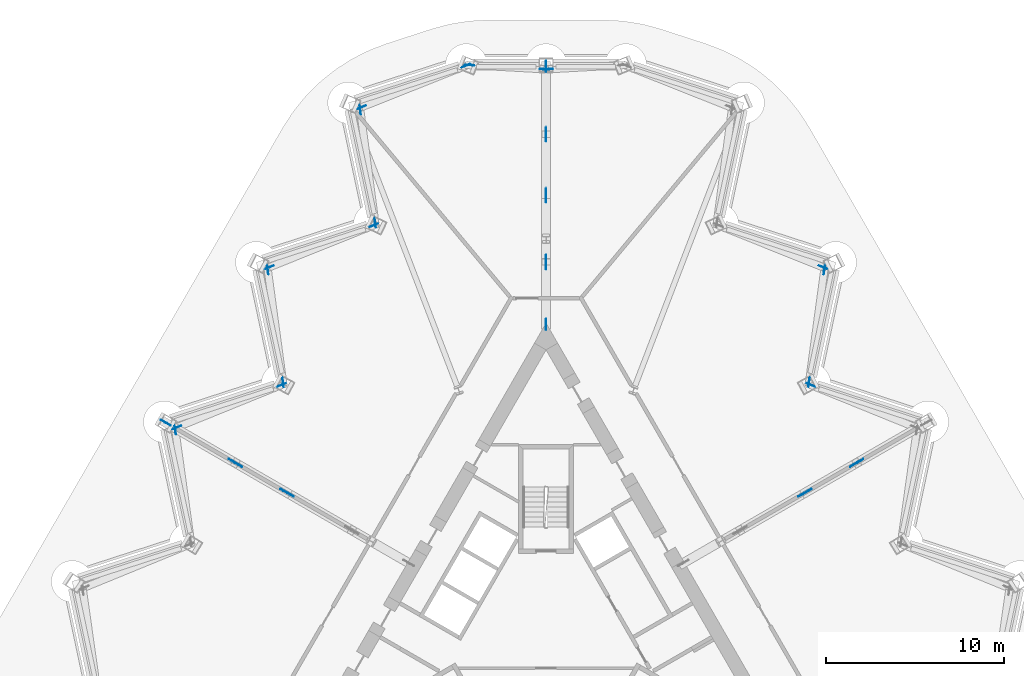
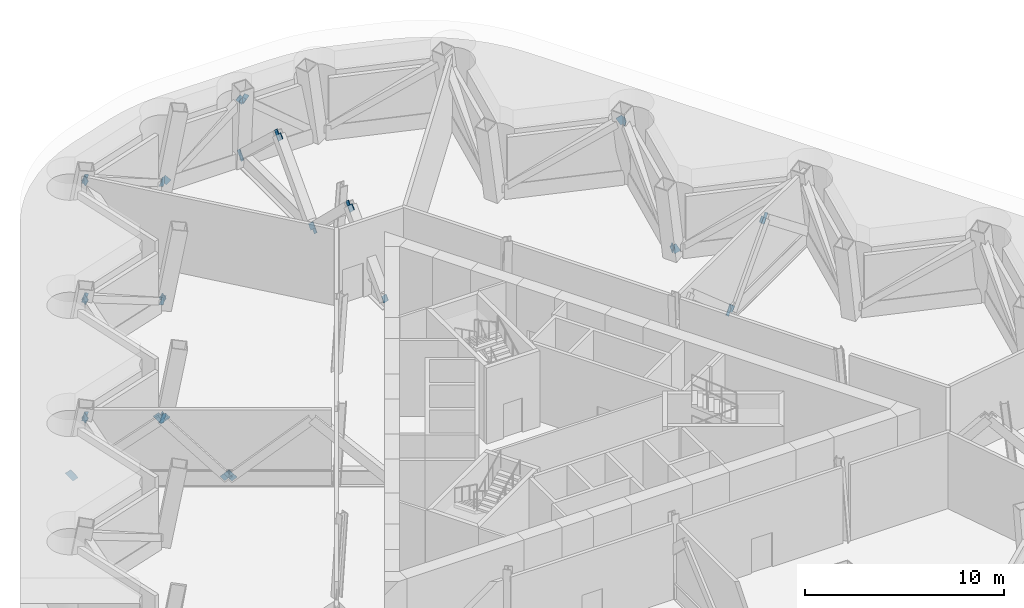
# One storey, part 10 of 13: 35 discrete accessories.
"""IFC4 building model written with IfcOpenShell, lengths in metres."""

from ifc_helpers import new_model, si_unit, direction, frame, origin, origin_2d, place, context, subcontext, project, spatial, rectangle, extrude, material, material_profile, profile_set, type_object, element, save


model = new_model("IFC4")

# Units and contexts
model_context = context("Model", 3, precision=1e-05, world=origin(), true_north=direction((0.0, 1.0)))
body_context = subcontext(model_context, "Body", "Model", "MODEL_VIEW")
ifc_project = project(units=[si_unit("LENGTHUNIT", "METRE"), si_unit("AREAUNIT", "SQUARE_METRE"), si_unit("VOLUMEUNIT", "CUBIC_METRE"), si_unit("PLANEANGLEUNIT", "RADIAN"), si_unit("MASSUNIT", "GRAM", prefix="KILO")], contexts=[model_context])

# Site, building, storey
site_placement = place(None, origin())
site = spatial("IfcSite", under=ifc_project, at=site_placement, CompositionType="ELEMENT")
building_placement = place(site_placement, origin())
building = spatial("IfcBuilding", under=site, at=building_placement, Name="Cormorant Prow Tower", CompositionType="ELEMENT")
storey_placement = place(building_placement, frame((0.0, 0.0, 226.0)))
storey = spatial("IfcBuildingStorey", under=building, at=storey_placement, Name="L49", CompositionType="ELEMENT", Elevation=226.0)

# Discrete accessories
ifc_material_1 = material(Name="Structural steel ASTM A500 Gr C", Category="steel")
ifc_material_profile_1 = material_profile(ifc_material_1, rectangle(XDim=0.031982421875, YDim=0.506103515625, at=origin_2d()), Name="Gusset plate 32x506")
ifc_profile_set_1 = profile_set([ifc_material_profile_1], Name="Structural steel ASTM A500 Gr C")
discrete_accessory_type_1 = type_object("IfcDiscreteAccessoryType", Name="Gusset plate 32x506", PredefinedType="BRACKET", material=ifc_profile_set_1)
discrete_accessory_1_placement = place(storey_placement, frame((14.973388671875, 14.373779296875, 0.59912109375), z_axis=(-0.803957450562, 0.326324446542, -0.497156688856), x_axis=(-0.376096804868, -0.926580376097, 0.0)))
element("IfcDiscreteAccessory", 1, at=discrete_accessory_1_placement, inside=storey, type_object=discrete_accessory_type_1, Name="Gusset plate GP2 L49.ENE05.g0", PredefinedType="BRACKET", context=body_context, shape_type="SweptSolid", body=[
    extrude(rectangle(XDim=0.031982421875, YDim=0.506103515625, at=origin_2d()), origin(), (0.0, 0.0, 1.0), 0.35009765625),
])
discrete_accessory_2_placement = place(storey_placement, frame((14.76708984375, 14.72998046875, 0.5986328125), z_axis=(-0.11650310629, -0.860867264446, -0.495312607582), x_axis=(0.990966488348, -0.134109727353, 0.0)))
element("IfcDiscreteAccessory", 2, at=discrete_accessory_2_placement, inside=storey, type_object=discrete_accessory_type_1, Name="Gusset plate GP2 L49.ENE06.g0", PredefinedType="BRACKET", context=body_context, shape_type="SweptSolid", body=[
    extrude(rectangle(XDim=0.031982421875, YDim=0.506103515625, at=origin_2d()), origin(), (0.0, 0.0, 1.0), 0.349853515625),
])
discrete_accessory_3_placement = place(storey_placement, frame((15.582763671875, 20.731689453125, 4.051513671875), z_axis=(0.117191176806, 0.860797096305, 0.495272235313), x_axis=(-0.990859461919, 0.134898208754, 0.0)))
element("IfcDiscreteAccessory", 3, at=discrete_accessory_3_placement, inside=storey, type_object=discrete_accessory_type_1, Name="Gusset plate GP2 L49.ENE06.g1", PredefinedType="BRACKET", context=body_context, shape_type="SweptSolid", body=[
    extrude(rectangle(XDim=0.031982421875, YDim=0.506103515625, at=origin_2d()), origin(), (0.0, 0.0, 1.0), 0.35009765625),
])
for number, where, z_axis, x_axis, name in (
    (4, (15.37646484375, 21.0869140625, 4.050537109375), (0.804589070269, -0.323091708183, 0.49824509642), (0.372639224354, 0.927976297366, 0.0), "Gusset plate GP2 L49.ENE07.g1"),
    (5, (0.22802734375, 32.13818359375, 4.005615234375), (-0.760410236298, -0.0418574442, 0.648092761029), (0.054962664786, -0.998488410288, 0.0), "Gusset plate GP2 L49.N00.g1"),
):
    element("IfcDiscreteAccessory", number, at=place(storey_placement, frame(where, z_axis=z_axis, x_axis=x_axis)), inside=storey, type_object=discrete_accessory_type_1, Name=name, PredefinedType="BRACKET", context=body_context, shape_type="SweptSolid", body=[
        extrude(rectangle(XDim=0.031982421875, YDim=0.506103515625, at=origin_2d()), origin(), (0.0, 0.0, 1.0), 0.349853515625),
    ])
discrete_accessory_4_placement = place(storey_placement, frame((-4.17041015625, 32.357421875, 0.64453125), z_axis=(-0.760044125677, 0.04253457951, -0.648478015486), x_axis=(-0.055875872576, -0.998437723077, 0.0)))
element("IfcDiscreteAccessory", 6, at=discrete_accessory_4_placement, inside=storey, type_object=discrete_accessory_type_1, Name="Gusset plate GP2 L49.N01.g0", PredefinedType="BRACKET", context=body_context, shape_type="SweptSolid", body=[
    extrude(rectangle(XDim=0.031982421875, YDim=0.506103515625, at=origin_2d()), origin(), (0.0, 0.0, 1.0), 0.35009765625),
])
discrete_accessory_5_placement = place(storey_placement, frame((-0.22802734375, 32.13818359375, 4.005615234375), z_axis=(0.760410236298, -0.0418574442, 0.648092761029), x_axis=(0.054962664786, 0.998488410288, 0.0)))
element("IfcDiscreteAccessory", 7, at=discrete_accessory_5_placement, inside=storey, type_object=discrete_accessory_type_1, Name="Gusset plate GP2 L49.N01.g1", PredefinedType="BRACKET", context=body_context, shape_type="SweptSolid", body=[
    extrude(rectangle(XDim=0.031982421875, YDim=0.506103515625, at=origin_2d()), origin(), (0.0, 0.0, 1.0), 0.349853515625),
])
for number, where, z_axis, x_axis, name in (
    (8, (-4.639892578125, 32.274169921875, 0.60009765625), (0.804716544339, 0.320073564863, -0.499984196093), (-0.369585223823, 0.929196837237, 0.0), "Gusset plate GP2 L49.WNW00.g0"),
    (9, (-10.19189453125, 30.06591796875, 4.050048828125), (-0.804716544339, -0.320073564863, 0.499984196093), (0.369585223823, -0.929196837237, 0.0), "Gusset plate GP2 L49.WNW00.g1"),
    (10, (-9.599609375, 23.6796875, 0.59814453125), (0.114379317865, -0.862029493179, -0.493783884442), (0.991311755983, 0.131533275066, 0.0), "Gusset plate GP2 L49.WNW01.g0"),
):
    element("IfcDiscreteAccessory", number, at=place(storey_placement, frame(where, z_axis=z_axis, x_axis=x_axis)), inside=storey, type_object=discrete_accessory_type_1, Name=name, PredefinedType="BRACKET", context=body_context, shape_type="SweptSolid", body=[
        extrude(rectangle(XDim=0.031982421875, YDim=0.506103515625, at=origin_2d()), origin(), (0.0, 0.0, 1.0), 0.35009765625),
    ])
discrete_accessory_6_placement = place(storey_placement, frame((-10.399169921875, 29.711181640625, 4.052001953125), z_axis=(-0.114418700567, 0.862326304276, 0.493256227446), x_axis=(-0.991311755983, -0.131533275066, 0.0)))
element("IfcDiscreteAccessory", 11, at=discrete_accessory_6_placement, inside=storey, type_object=discrete_accessory_type_1, Name="Gusset plate GP2 L49.WNW01.g1", PredefinedType="BRACKET", context=body_context, shape_type="SweptSolid", body=[
    extrude(rectangle(XDim=0.031982421875, YDim=0.506103515625, at=origin_2d()), origin(), (0.0, 0.0, 1.0), 0.349853515625),
])
discrete_accessory_7_placement = place(storey_placement, frame((-9.806640625, 23.323974609375, 0.599609375), z_axis=(0.80430927561, 0.322979353519, -0.498769412022), x_axis=(-0.372639224354, 0.927976297366, 0.0)))
element("IfcDiscreteAccessory", 12, at=discrete_accessory_7_placement, inside=storey, type_object=discrete_accessory_type_1, Name="Gusset plate GP2 L49.WNW02.g0", PredefinedType="BRACKET", context=body_context, shape_type="SweptSolid", body=[
    extrude(rectangle(XDim=0.031982421875, YDim=0.506103515625, at=origin_2d()), origin(), (0.0, 0.0, 1.0), 0.35009765625),
])
for number, where, z_axis, x_axis, name in (
    (13, (-15.37646484375, 21.0869140625, 4.050537109375), (-0.804589070269, -0.323091708183, 0.49824509642), (0.372639224354, -0.927976297366, 0.0), "Gusset plate GP2 L49.WNW02.g1"),
    (14, (-14.76708984375, 14.72998046875, 0.5986328125), (0.11650310629, -0.860867264446, -0.495312607582), (0.990966488348, 0.134109727353, 0.0), "Gusset plate GP2 L49.WNW03.g0"),
):
    element("IfcDiscreteAccessory", number, at=place(storey_placement, frame(where, z_axis=z_axis, x_axis=x_axis)), inside=storey, type_object=discrete_accessory_type_1, Name=name, PredefinedType="BRACKET", context=body_context, shape_type="SweptSolid", body=[
        extrude(rectangle(XDim=0.031982421875, YDim=0.506103515625, at=origin_2d()), origin(), (0.0, 0.0, 1.0), 0.349853515625),
    ])
for number, where, z_axis, x_axis, name in (
    (15, (-15.582763671875, 20.731689453125, 4.051513671875), (-0.117191176806, 0.860797096305, 0.495272235313), (-0.990859461919, -0.134898208754, 0.0), "Gusset plate GP2 L49.WNW03.g1"),
    (16, (-14.973388671875, 14.373779296875, 0.59912109375), (0.803957450562, 0.326324446542, -0.497156688856), (-0.376096804868, 0.926580376097, 0.0), "Gusset plate GP2 L49.WNW04.g0"),
    (17, (-20.56103515625, 12.108154296875, 4.051025390625), (-0.804236095518, -0.326437547877, 0.496631483095), (0.376096804868, -0.926580376097, 0.0), "Gusset plate GP2 L49.WNW04.g1"),
):
    element("IfcDiscreteAccessory", number, at=place(storey_placement, frame(where, z_axis=z_axis, x_axis=x_axis)), inside=storey, type_object=discrete_accessory_type_1, Name=name, PredefinedType="BRACKET", context=body_context, shape_type="SweptSolid", body=[
        extrude(rectangle(XDim=0.031982421875, YDim=0.506103515625, at=origin_2d()), origin(), (0.0, 0.0, 1.0), 0.35009765625),
    ])
discrete_accessory_8_placement = place(storey_placement, frame((-20.766357421875, 11.75244140625, 4.051025390625), z_axis=(-0.120002699929, 0.859554222746, 0.496755362496), x_axis=(-0.990394657422, -0.138269383991, 0.0)))
element("IfcDiscreteAccessory", 18, at=discrete_accessory_8_placement, inside=storey, type_object=discrete_accessory_type_1, Name="Gusset plate GP2 L49.WNW05.g1", PredefinedType="BRACKET", context=body_context, shape_type="SweptSolid", body=[
    extrude(rectangle(XDim=0.031982421875, YDim=0.506103515625, at=origin_2d()), origin(), (0.0, 0.0, 1.0), 0.349853515625),
])
ifc_material_2 = material(Name="Structural steel ASTM A500 Gr C", Category="steel")
ifc_material_profile_2 = material_profile(ifc_material_2, rectangle(XDim=0.031982421875, YDim=0.60791015625, at=origin_2d()), Name="Gusset plate 32x608")
ifc_profile_set_2 = profile_set([ifc_material_profile_2], Name="Structural steel ASTM A500 Gr C")
discrete_accessory_type_2 = type_object("IfcDiscreteAccessoryType", Name="Gusset plate 32x608", PredefinedType="BRACKET", material=ifc_profile_set_2)
discrete_accessory_9_placement = place(storey_placement, frame((0.0, 17.9580078125, 0.71435546875), z_axis=(0.0, -0.700099297326, -0.714045498468), x_axis=(1.0, 0.0, 0.0)))
element("IfcDiscreteAccessory", 19, at=discrete_accessory_9_placement, inside=storey, type_object=discrete_accessory_type_2, Name="Gusset plate GP1 L49.01.1.g0", PredefinedType="BRACKET", context=body_context, shape_type="SweptSolid", body=[
    extrude(rectangle(XDim=0.031982421875, YDim=0.60791015625, at=origin_2d()), origin(), (0.0, 0.0, 1.0), 0.35009765625),
])
discrete_accessory_10_placement = place(storey_placement, frame((0.0, 21.119140625, 3.935791015625), z_axis=(0.0, 0.700447974644, 0.713703464204), x_axis=(-1.0, 0.0, 0.0)))
element("IfcDiscreteAccessory", 20, at=discrete_accessory_10_placement, inside=storey, type_object=discrete_accessory_type_2, Name="Gusset plate GP1 L49.01.1.g1", PredefinedType="BRACKET", context=body_context, shape_type="SweptSolid", body=[
    extrude(rectangle(XDim=0.031982421875, YDim=0.60791015625, at=origin_2d()), origin(), (0.0, 0.0, 1.0), 0.349853515625),
])
discrete_accessory_11_placement = place(storey_placement, frame((0.0, 21.544189453125, 3.9404296875), z_axis=(0.0, -0.716113402972, 0.697983949732), x_axis=(1.0, 0.0, 0.0)))
element("IfcDiscreteAccessory", 21, at=discrete_accessory_11_placement, inside=storey, type_object=discrete_accessory_type_2, Name="Gusset plate GP1 L49.01.2.g0", PredefinedType="BRACKET", context=body_context, shape_type="SweptSolid", body=[
    extrude(rectangle(XDim=0.031982421875, YDim=0.60791015625, at=origin_2d()), origin(), (0.0, 0.0, 1.0), 0.35009765625),
])
for number, where, z_axis, x_axis, name in (
    (22, (0.0, 24.85888671875, 0.70947265625), (0.0, 0.716462012015, -0.697626107123), (-1.0, 0.0, 0.0), "Gusset plate GP1 L49.01.2.g1"),
    (23, (0.0, 25.27880859375, 0.718994140625), (0.0, -0.683709023667, -0.729754733425), (1.0, 0.0, 0.0), "Gusset plate GP1 L49.01.3.g0"),
    (24, (0.0, 28.286865234375, 3.930908203125), (0.0, 0.683709023667, 0.729754733425), (-1.0, 0.0, 0.0), "Gusset plate GP1 L49.01.3.g1"),
    (25, (0.0, 28.711181640625, 3.945068359375), (0.0, -0.730428576012, 0.682989088745), (1.0, 0.0, 0.0), "Gusset plate GP1 L49.01.4.g0"),
    (26, (0.0, 32.18017578125, 0.704833984375), (0.0, 0.731101663822, -0.682268537422), (-1.0, 0.0, 0.0), "Gusset plate GP1 L49.01.4.g1"),
):
    element("IfcDiscreteAccessory", number, at=place(storey_placement, frame(where, z_axis=z_axis, x_axis=x_axis)), inside=storey, type_object=discrete_accessory_type_2, Name=name, PredefinedType="BRACKET", context=body_context, shape_type="SweptSolid", body=[
        extrude(rectangle(XDim=0.031982421875, YDim=0.60791015625, at=origin_2d()), origin(), (0.0, 0.0, 1.0), 0.349853515625),
    ])
discrete_accessory_12_placement = place(storey_placement, frame((-14.31884765625, 8.26708984375, 0.697265625), z_axis=(-0.652925447916, 0.376687758413, -0.657110867454), x_axis=(-0.49972245349, -0.866185586049, 0.0)))
element("IfcDiscreteAccessory", 27, at=discrete_accessory_12_placement, inside=storey, type_object=discrete_accessory_type_2, Name="Gusset plate GP1 L49.03.2.g1", PredefinedType="BRACKET", context=body_context, shape_type="SweptSolid", body=[
    extrude(rectangle(XDim=0.031982421875, YDim=0.60791015625, at=origin_2d()), origin(), (0.0, 0.0, 1.0), 0.35009765625),
])
discrete_accessory_13_placement = place(storey_placement, frame((-14.690673828125, 8.481689453125, 0.720947265625), z_axis=(0.586131315019, -0.338421056886, -0.736153020649), x_axis=(0.50001992892, 0.866013897511, 0.0)))
element("IfcDiscreteAccessory", 28, at=discrete_accessory_13_placement, inside=storey, type_object=discrete_accessory_type_2, Name="Gusset plate GP1 L49.03.3.g0", PredefinedType="BRACKET", context=body_context, shape_type="SweptSolid", body=[
    extrude(rectangle(XDim=0.031982421875, YDim=0.60791015625, at=origin_2d()), origin(), (0.0, 0.0, 1.0), 0.349853515625),
])
for number, where, z_axis, x_axis, name in (
    (29, (-17.244140625, 9.9560546875, 3.928955078125), (-0.585830326581, 0.338247271895, 0.736472410559), (-0.50001992892, -0.866013897511, 0.0), "Gusset plate GP1 L49.03.3.g1"),
    (30, (-17.623779296875, 10.175048828125, 3.963623046875), (0.679175372225, -0.391885584385, 0.620601726161), (0.499773776046, 0.866155974855, 0.0), "Gusset plate GP1 L49.03.4.g0"),
    (31, (-21.205810546875, 12.2431640625, 0.6865234375), (-0.678505450238, 0.391901400857, -0.621324107052), (-0.500158975434, -0.865933599817, 0.0), "Gusset plate GP1 L49.03.4.g1"),
    (32, (14.31884765625, 8.26708984375, 0.697265625), (0.652925447916, 0.376687758413, -0.657110867454), (-0.49972245349, 0.866185586049, 0.0), "Gusset plate GP1 L49.11.2.g1"),
):
    element("IfcDiscreteAccessory", number, at=place(storey_placement, frame(where, z_axis=z_axis, x_axis=x_axis)), inside=storey, type_object=discrete_accessory_type_2, Name=name, PredefinedType="BRACKET", context=body_context, shape_type="SweptSolid", body=[
        extrude(rectangle(XDim=0.031982421875, YDim=0.60791015625, at=origin_2d()), origin(), (0.0, 0.0, 1.0), 0.35009765625),
    ])
discrete_accessory_14_placement = place(storey_placement, frame((14.690673828125, 8.481689453125, 0.720947265625), z_axis=(-0.586131315019, -0.338421056886, -0.736153020649), x_axis=(0.50001992892, -0.866013897511, 0.0)))
element("IfcDiscreteAccessory", 33, at=discrete_accessory_14_placement, inside=storey, type_object=discrete_accessory_type_2, Name="Gusset plate GP1 L49.11.3.g0", PredefinedType="BRACKET", context=body_context, shape_type="SweptSolid", body=[
    extrude(rectangle(XDim=0.031982421875, YDim=0.60791015625, at=origin_2d()), origin(), (0.0, 0.0, 1.0), 0.349853515625),
])
for number, where, z_axis, x_axis, name in (
    (34, (17.244140625, 9.9560546875, 3.928955078125), (0.585830326581, 0.338247271895, 0.736472410559), (-0.50001992892, 0.866013897511, 0.0), "Gusset plate GP1 L49.11.3.g1"),
    (35, (17.623779296875, 10.175048828125, 3.963623046875), (-0.679175372225, -0.391885584385, 0.620601726161), (0.499773776046, -0.866155974855, 0.0), "Gusset plate GP1 L49.11.4.g0"),
):
    element("IfcDiscreteAccessory", number, at=place(storey_placement, frame(where, z_axis=z_axis, x_axis=x_axis)), inside=storey, type_object=discrete_accessory_type_2, Name=name, PredefinedType="BRACKET", context=body_context, shape_type="SweptSolid", body=[
        extrude(rectangle(XDim=0.031982421875, YDim=0.60791015625, at=origin_2d()), origin(), (0.0, 0.0, 1.0), 0.35009765625),
    ])

save(model, "model.ifc")
